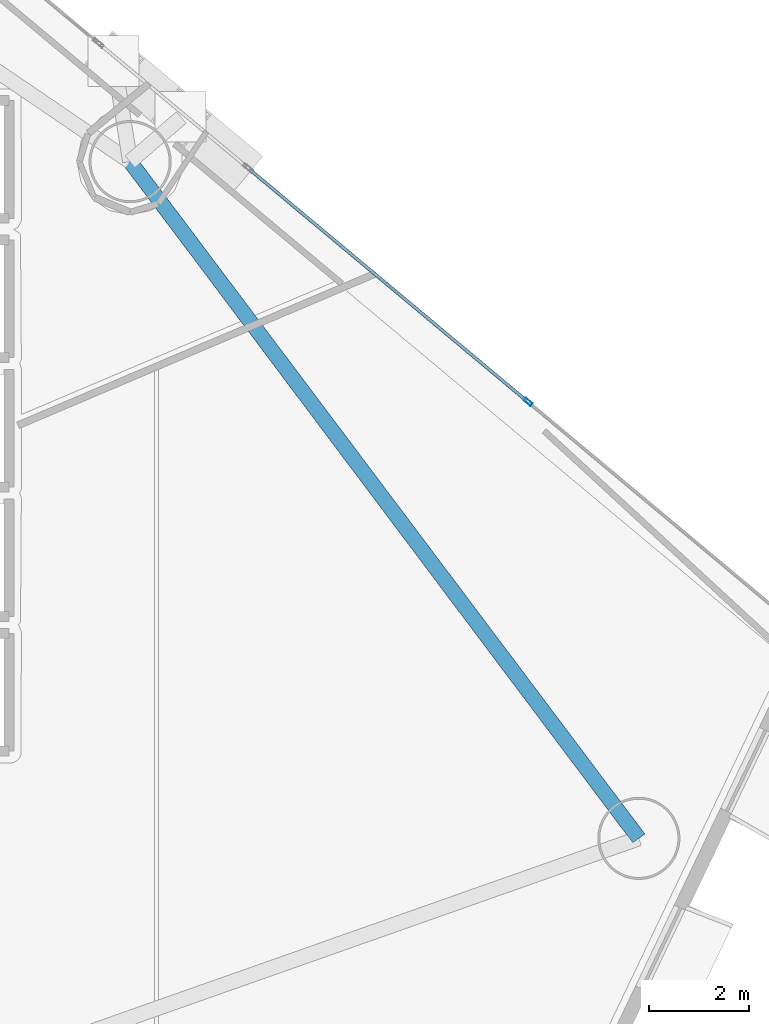
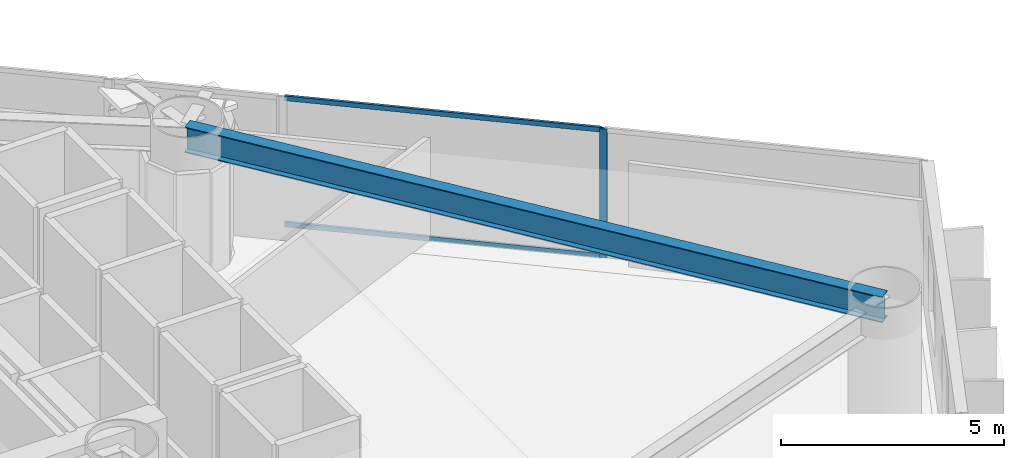
# One storey, part 14 of 23: 3 members, 1 beam, 1 element without a shape of its own.
"""IFC4 building model written with IfcOpenShell, lengths in metres."""

from ifc_helpers import new_model, si_unit, direction, frame, origin, origin_2d, place, context, subcontext, project, spatial, hollow_rectangle, i_section, extrude, material, layer, layer_set, material_profile, profile_set, type_object, element, aggregate, save


model = new_model("IFC4")

# Units and contexts
model_context = context("Model", 3, precision=1e-05, world=origin(), true_north=direction((0.0, 1.0)))
body_context = subcontext(model_context, "Body", "Model", "MODEL_VIEW")
ifc_project = project(units=[si_unit("LENGTHUNIT", "METRE"), si_unit("AREAUNIT", "SQUARE_METRE"), si_unit("VOLUMEUNIT", "CUBIC_METRE"), si_unit("PLANEANGLEUNIT", "RADIAN"), si_unit("MASSUNIT", "GRAM", prefix="KILO")], contexts=[model_context])

# Site, building, storey
site_placement = place(None, origin())
site = spatial("IfcSite", under=ifc_project, at=site_placement, CompositionType="ELEMENT")
building_placement = place(site_placement, origin())
building = spatial("IfcBuilding", under=site, at=building_placement, Name="Qianvela Tower", CompositionType="ELEMENT")
storey_placement = place(building_placement, frame((0.0, 0.0, 78.39990234375)))
storey = spatial("IfcBuildingStorey", under=building, at=storey_placement, Name="L19", CompositionType="ELEMENT", Elevation=78.39990234375)

# Beam
ifc_material_1 = material(Name="Steel Q355B", Category="steel")
ifc_material_profile_1 = material_profile(ifc_material_1, i_section(OverallWidth=0.300048828125, OverallDepth=0.699951171875, WebThickness=0.012939453125, FlangeThickness=0.02392578125, at=origin_2d()), Name="HN700x300x13x24")
ifc_profile_set_1 = profile_set([ifc_material_profile_1], Name="Steel Q355B")
beam_type = type_object("IfcBeamType", Name="BM-HN700-SPAND", PredefinedType="SPANDREL", material=ifc_profile_set_1)
beam_placement = place(storey_placement, frame((56.198974609375, 20.468017578125, 3.168212890625), z_axis=(-0.600881979864, 0.799337754816, 0.0), x_axis=(-0.799337754816, -0.600881979864, 0.0)))
element("IfcBeam", 1, at=beam_placement, inside=storey, type_object=beam_type, Name="L19 Perimeter Ring Spandrel Girder 1", PredefinedType="SPANDREL", context=body_context, shape_type="SweptSolid", body=[
    extrude(i_section(OverallWidth=0.300048828125, OverallDepth=0.699951171875, WebThickness=0.012939453125, FlangeThickness=0.02392578125, at=origin_2d()), origin(), (0.0, 0.0, 1.0), 17.000244140625),
])

# Curtain wall, members
ifc_material_2 = material(Name="Anodised Architectural Aluminium and Low-E Glass", Category="aluminium")
ifc_layer = layer(ifc_material_2, 0.179931640625)
ifc_layer_set = layer_set([ifc_layer], Name="Anodised Architectural Aluminium and Low-E Glass")
curtain_wall_type = type_object("IfcCurtainWallType", Name="CW-COLIV-Z12", PredefinedType="USERDEFINED", material=ifc_layer_set)
curtain_wall_placement = place(storey_placement, origin())
curtain_wall = element("IfcCurtainWall", 2, at=curtain_wall_placement, inside=storey, type_object=curtain_wall_type, Name="L19 CW-COLIV-Z12 Curtain Wall 02A", ObjectType="CURTAIN_WALL_SYSTEM", PredefinedType="USERDEFINED")
ifc_material_3 = material(Name="Anodised Architectural Aluminium 6063-T6", Category="aluminium")
ifc_material_profile_2 = material_profile(ifc_material_3, hollow_rectangle(XDim=0.070068359375, YDim=0.179931640625, WallThickness=0.0048828125, at=origin_2d()), Name="ALU-MULL-70x180")
ifc_profile_set_2 = profile_set([ifc_material_profile_2], Name="Anodised Architectural Aluminium 6063-T6")
member_type_1 = type_object("IfcMemberType", Name="CW-COLIV-Z12-MULL", PredefinedType="MULLION", material=ifc_profile_set_2)
member_1_placement = place(storey_placement, frame((53.974853515625, 29.231201171875, 0.0), z_axis=(0.0, 0.0, 1.0), x_axis=(-0.641086326125, -0.767468776209, 0.0)))
member_1 = element("IfcMember", 3, at=member_1_placement, type_object=member_type_1, Name="CW-3 mullion 2", PredefinedType="MULLION", context=body_context, shape_type="SweptSolid", body=[
    extrude(hollow_rectangle(XDim=0.070068359375, YDim=0.179931640625, WallThickness=0.0048828125, at=origin_2d()), origin(), (0.0, 0.0, 1.0), 3.52001953125),
])
ifc_material_4 = material(Name="Anodised Architectural Aluminium 6063-T6", Category="aluminium")
ifc_material_profile_3 = material_profile(ifc_material_4, hollow_rectangle(XDim=0.06494140625, YDim=0.1298828125, WallThickness=0.00439453125, at=origin_2d()), Name="ALU-TRAN-65x130")
ifc_profile_set_3 = profile_set([ifc_material_profile_3], Name="Anodised Architectural Aluminium 6063-T6")
member_type_2 = type_object("IfcMemberType", Name="CW-COLIV-Z12-TRAN", PredefinedType="USERDEFINED", material=ifc_profile_set_3)
member_2_placement = place(storey_placement, frame((53.947998046875, 29.253662109375, 0.03271484375), z_axis=(-0.767475188767, 0.64107864933, 0.0), x_axis=(-0.64107864933, -0.767475188767, 0.0)))
member_2 = element("IfcMember", 4, at=member_2_placement, type_object=member_type_2, Name="CW-3 transom 2.1", ObjectType="TRANSOM", PredefinedType="USERDEFINED", context=body_context, shape_type="SweptSolid", body=[
    extrude(hollow_rectangle(XDim=0.06494140625, YDim=0.1298828125, WallThickness=0.00439453125, at=origin_2d()), origin(), (0.0, 0.0, 1.0), 7.22021484375),
])
member_3_placement = place(storey_placement, frame((53.947998046875, 29.253662109375, 3.487548828125), z_axis=(-0.767475188767, 0.64107864933, 0.0), x_axis=(-0.64107864933, -0.767475188767, 0.0)))
member_3 = element("IfcMember", 5, at=member_3_placement, type_object=member_type_2, Name="CW-3 transom 2.2", ObjectType="TRANSOM", PredefinedType="USERDEFINED", context=body_context, shape_type="SweptSolid", body=[
    extrude(hollow_rectangle(XDim=0.06494140625, YDim=0.1298828125, WallThickness=0.00439453125, at=origin_2d()), origin(), (0.0, 0.0, 1.0), 7.22021484375),
])
aggregate(curtain_wall, [member_1, member_2, member_3])

save(model, "model.ifc")
